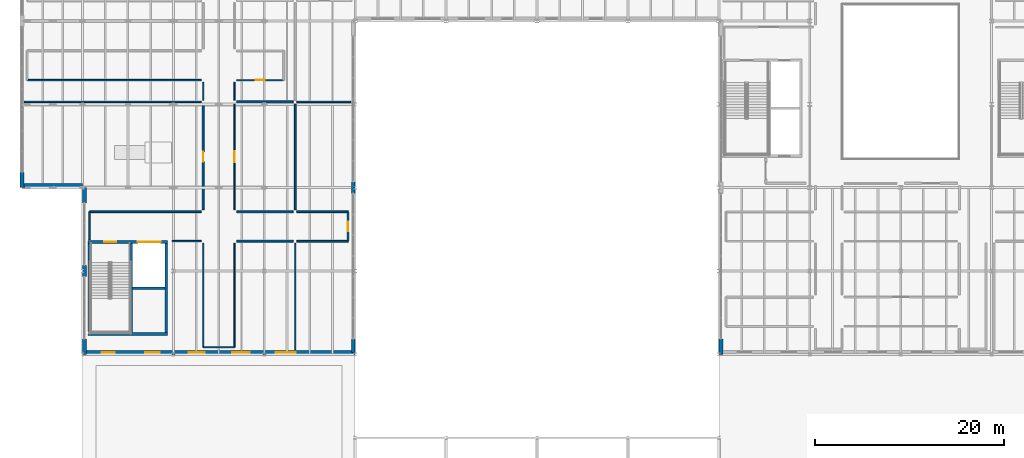
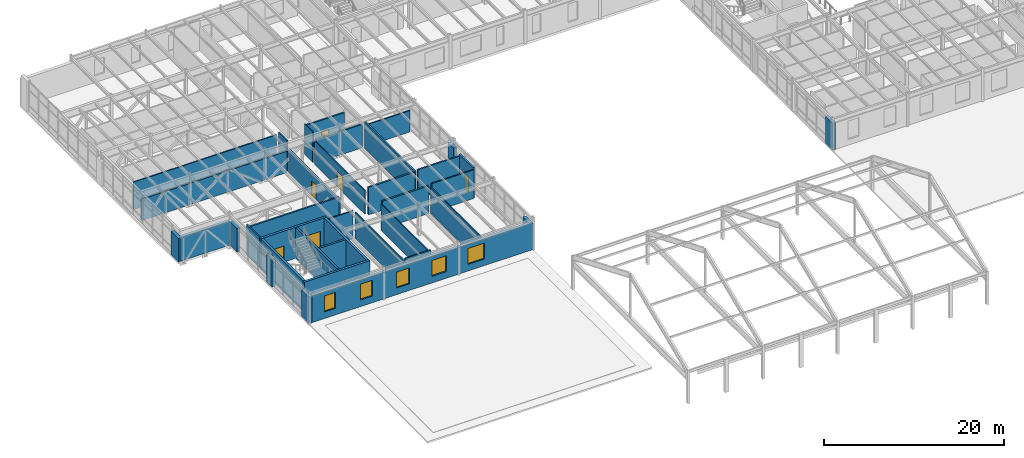
# One storey, part 69 of 88: 37 walls, 6 doors, 5 windows, 11 openings.
"""IFC4 building model written with IfcOpenShell, lengths in metres."""

from ifc_helpers import new_model, si_unit, direction, frame, frame_2d, origin, place, context, subcontext, project, spatial, rectangle, extrude, material, layer, layer_set, type_object, element, fill, save


model = new_model("IFC4")

# Units and contexts
model_context = context("Model", 3, precision=1e-05, world=origin(), true_north=direction((0.0, 1.0)))
body_context = subcontext(model_context, "Body", "Model", "MODEL_VIEW")
ifc_project = project(units=[si_unit("LENGTHUNIT", "METRE"), si_unit("AREAUNIT", "SQUARE_METRE"), si_unit("VOLUMEUNIT", "CUBIC_METRE"), si_unit("PLANEANGLEUNIT", "RADIAN"), si_unit("MASSUNIT", "GRAM", prefix="KILO")], contexts=[model_context])

# Site, building, storey
site_placement = place(None, origin())
site = spatial("IfcSite", under=ifc_project, at=site_placement, CompositionType="ELEMENT")
building_placement = place(site_placement, origin())
building = spatial("IfcBuilding", under=site, at=building_placement, Name="Sarnbrook Museum", CompositionType="ELEMENT")
storey_placement = place(building_placement, frame((0.0, 0.0, 10.10009765625)))
storey = spatial("IfcBuildingStorey", under=building, at=storey_placement, Name="L02", CompositionType="ELEMENT", Elevation=10.10009765625)

# Wall
ifc_material_1 = material(Name="Concrete N50 (AS 3600, f'c = 50 MPa)", Category="concrete")
ifc_layer_1 = layer(ifc_material_1, 0.300048828125)
ifc_layer_set_1 = layer_set([ifc_layer_1], Name="Concrete N50 (AS 3600, f'c = 50 MPa)")
wall_type_1 = type_object("IfcWallType", Name="CoreWall_CWRC", PredefinedType="SHEAR", material=ifc_layer_set_1)
wall_1_placement = place(storey_placement, frame((14.199951171875, 41.35009765625, 0.0), z_axis=(0.0, 0.0, 1.0), x_axis=(1.0, 0.0, 0.0)))
element("IfcWall", 1, at=wall_1_placement, inside=storey, type_object=wall_type_1, Name="Core C5 Shear Wall S L02", PredefinedType="SHEAR", context=body_context, shape_type="SweptSolid", body=[
    extrude(rectangle(XDim=8.400146484375, YDim=0.300048828125, at=frame_2d((4.2001953125, 0.0))), origin(), (0.0, 0.0, 1.0), 4.21484375),
])

# Wall, openings, doors
wall_2_placement = place(storey_placement, frame((22.60009765625, 51.050048828125, 0.0), z_axis=(0.0, 0.0, 1.0), x_axis=(-1.0, 0.0, 0.0)))
wall_2 = element("IfcWall", 2, at=wall_2_placement, inside=storey, type_object=wall_type_1, Name="Core C5 Shear Wall N L02", PredefinedType="SHEAR", context=body_context, shape_type="SweptSolid", body=[
    extrude(rectangle(XDim=8.400146484375, YDim=0.300048828125, at=frame_2d((4.2001953125, 0.0))), origin(), (0.0, 0.0, 1.0), 4.21484375),
])
opening_1_placement = place(wall_2_placement, frame((5.43505859375, 0.0, 0.0)))
opening_1 = element("IfcOpeningElement", 3, at=opening_1_placement, cuts=wall_2, Name="Opening D-ST-ST5-L02", PredefinedType="OPENING", context=body_context, shape_type="SweptSolid", body=[
    extrude(rectangle(XDim=1.25, YDim=2.199951171875, at=frame_2d((0.625, 1.10009765625))), frame((0.0, 0.16015625, 0.0), z_axis=(0.0, -1.0, 0.0), x_axis=(1.0, 0.0, 0.0)), (0.0, 0.0, 1.0), 0.320068359375),
])
opening_2_placement = place(wall_2_placement, frame((0.75, 0.0, 0.0)))
opening_2 = element("IfcOpeningElement", 4, at=opening_2_placement, cuts=wall_2, Name="Opening LD-GL1-L02", PredefinedType="OPENING", context=body_context, shape_type="SweptSolid", body=[
    extrude(rectangle(XDim=2.39990234375, YDim=2.550048828125, at=frame_2d((1.199951171875, 1.27490234375))), frame((0.0, 0.16015625, 0.0), z_axis=(0.0, -1.0, 0.0), x_axis=(1.0, 0.0, 0.0)), (0.0, 0.0, 1.0), 0.320068359375),
])
ifc_material_2 = material(Name="Tasmanian Oak Acoustic Timber", Category="wood")
door_type_1 = type_object("IfcDoorType", Name="FireDoor_FD120", OperationType="NOTDEFINED", PredefinedType="DOOR", material=ifc_material_2)
door_1_placement = place(opening_1_placement, origin())
door_1 = element("IfcDoor", 5, at=door_1_placement, inside=storey, type_object=door_type_1, Name="Exit Stair ST5 Fire Door L02", OperationType="SINGLE_SWING_LEFT", OverallHeight=2.199951171875, OverallWidth=1.25, PredefinedType="DOOR", context=body_context, shape_type="SweptSolid", body=[
    extrude(rectangle(XDim=1.25, YDim=2.199951171875, at=frame_2d((0.625, 1.10009765625))), frame((0.0, 0.02490234375, 0.0), z_axis=(0.0, -1.0, 0.0), x_axis=(1.0, 0.0, 0.0)), (0.0, 0.0, 1.0), 0.050048828125),
])
fill(opening_1, door_1)
ifc_material_3 = material(Name="Brushed Stainless Steel Grade 316", Category="steel")
door_type_2 = type_object("IfcDoorType", Name="LiftDoor_Goods240", OperationType="DOUBLE_DOOR_SLIDING", PredefinedType="DOOR", material=ifc_material_3)
door_2_placement = place(opening_2_placement, origin())
door_2 = element("IfcDoor", 6, at=door_2_placement, inside=storey, type_object=door_type_2, Name="Lift Landing Sliding Door LD-GL1-L02", OperationType="DOUBLE_DOOR_SLIDING", OverallHeight=2.550048828125, OverallWidth=2.39990234375, PredefinedType="DOOR", context=body_context, shape_type="SweptSolid", body=[
    extrude(rectangle(XDim=2.39990234375, YDim=2.550048828125, at=frame_2d((1.199951171875, 1.27490234375))), frame((0.0, 0.02490234375, 0.0), z_axis=(0.0, -1.0, 0.0), x_axis=(1.0, 0.0, 0.0)), (0.0, 0.0, 1.0), 0.050048828125),
])
fill(opening_2, door_2)

# Walls
for number, where, z_axis, x_axis, name in (
    (7, (22.449951171875, 41.510009765625, 0.0), (0.0, 0.0, 1.0), (0.0, 1.0, 0.0), "Core C5 Shear Wall E L02"),
    (8, (14.35009765625, 50.889892578125, 0.0), (0.0, 0.0, 1.0), (0.0, -1.0, 0.0), "Core C5 Shear Wall W L02"),
):
    element("IfcWall", number, at=place(storey_placement, frame(where, z_axis=z_axis, x_axis=x_axis)), inside=storey, type_object=wall_type_1, Name=name, PredefinedType="SHEAR", context=body_context, shape_type="SweptSolid", body=[
        extrude(rectangle(XDim=9.3798828125, YDim=0.300048828125, at=frame_2d((4.68994140625, 0.0))), origin(), (0.0, 0.0, 1.0), 4.21484375),
    ])
ifc_material_4 = material(Name="Fire-Rated Acoustic Gypsum Plasterboard")
ifc_layer_2 = layer(ifc_material_4, 0.1201171875)
ifc_layer_set_2 = layer_set([ifc_layer_2], Name="Fire-Rated Acoustic Gypsum Plasterboard")
wall_type_2 = type_object("IfcWallType", Name="PartWall_P120", PredefinedType="PARTITIONING", material=ifc_layer_set_2)
wall_3_placement = place(storey_placement, frame((29.64990234375, 39.9599609375, 0.0), z_axis=(0.0, 0.0, 1.0), x_axis=(0.0, 1.0, 0.0)))
element("IfcWall", 9, at=wall_3_placement, inside=storey, type_object=wall_type_2, Name="Interior Partition Wall L02-0538", PredefinedType="PARTITIONING", context=body_context, shape_type="SweptSolid", body=[
    extrude(rectangle(XDim=10.9599609375, YDim=0.1201171875, at=frame_2d((5.47998046875, 0.0))), origin(), (0.0, 0.0, 1.0), 3.5830078125),
])

# Wall, opening, door
wall_4_placement = place(storey_placement, frame((29.64990234375, 54.47998046875, 0.0), z_axis=(0.0, 0.0, 1.0), x_axis=(0.0, 1.0, 0.0)))
wall_4 = element("IfcWall", 10, at=wall_4_placement, inside=storey, type_object=wall_type_2, Name="Interior Partition Wall L02-0552", PredefinedType="PARTITIONING", context=body_context, shape_type="SweptSolid", body=[
    extrude(rectangle(XDim=11.14990234375, YDim=0.1201171875, at=frame_2d((5.574951171875, 0.0))), origin(), (0.0, 0.0, 1.0), 3.18994140625),
])
opening_3_placement = place(wall_4_placement, frame((4.985107421875, 0.0, 0.0)))
opening_3 = element("IfcOpeningElement", 11, at=opening_3_placement, cuts=wall_4, Name="Opening D-L02-158", PredefinedType="OPENING", context=body_context, shape_type="SweptSolid", body=[
    extrude(rectangle(XDim=1.179931640625, YDim=2.080078125, at=frame_2d((0.58984375, 1.0400390625))), frame((0.0, 0.070068359375, 0.0), z_axis=(0.0, -1.0, 0.0), x_axis=(1.0, 0.0, 0.0)), (0.0, 0.0, 1.0), 0.14013671875),
])
door_type_3 = type_object("IfcDoorType", Name="IntDoor_DT06", OperationType="NOTDEFINED", PredefinedType="DOOR", material=ifc_material_2)
door_3_placement = place(opening_3_placement, frame((1.179931640625, 0.0, 0.0), z_axis=(0.0, 0.0, 1.0), x_axis=(-1.0, 0.0, 0.0)))
door_3 = element("IfcDoor", 12, at=door_3_placement, inside=storey, type_object=door_type_3, Name="Avian & Rainforest Ecology Gallery L02-20 Door D-L02-158", OperationType="SINGLE_SWING_LEFT", OverallHeight=2.080078125, OverallWidth=1.179931640625, PredefinedType="DOOR", context=body_context, shape_type="SweptSolid", body=[
    extrude(rectangle(XDim=1.179931640625, YDim=2.080078125, at=frame_2d((0.58984375, 1.0400390625))), frame((0.0, 0.02490234375, 0.0), z_axis=(0.0, -1.0, 0.0), x_axis=(1.0, 0.0, 0.0)), (0.0, 0.0, 1.0), 0.050048828125),
])
fill(opening_3, door_3)

# Walls
wall_5_placement = place(storey_placement, frame((29.64990234375, 66.050048828125, 0.0), z_axis=(0.0, 0.0, 1.0), x_axis=(0.0, 1.0, 0.0)))
element("IfcWall", 13, at=wall_5_placement, inside=storey, type_object=wall_type_2, Name="Interior Partition Wall L02-0559", PredefinedType="PARTITIONING", context=body_context, shape_type="SweptSolid", body=[
    extrude(rectangle(XDim=1.869873046875, YDim=0.1201171875, at=frame_2d((0.93505859375, 0.0))), origin(), (0.0, 0.0, 1.0), 4.1298828125),
])
ifc_layer_3 = layer(ifc_material_4, 0.135009765625)
ifc_layer_set_3 = layer_set([ifc_layer_3], Name="Fire-Rated Acoustic Gypsum Plasterboard")
wall_type_3 = type_object("IfcWallType", Name="PartWall_P135", PredefinedType="PARTITIONING", material=ifc_layer_set_3)
wall_6_placement = place(storey_placement, frame((26.360107421875, 39.949951171875, 0.0), z_axis=(0.0, 0.0, 1.0), x_axis=(1.0, 0.0, 0.0)))
element("IfcWall", 14, at=wall_6_placement, inside=storey, type_object=wall_type_3, Name="Interior Partition Wall L02-0537", PredefinedType="PARTITIONING", context=body_context, shape_type="SweptSolid", body=[
    extrude(rectangle(XDim=3.27978515625, YDim=0.135009765625, at=frame_2d((1.639892578125, 0.0))), origin(), (0.0, 0.0, 1.0), 3.98291015625),
])
wall_7_placement = place(storey_placement, frame((26.35009765625, 67.919921875, 0.0), z_axis=(0.0, 0.0, 1.0), x_axis=(0.0, -1.0, 0.0)))
element("IfcWall", 15, at=wall_7_placement, inside=storey, type_object=wall_type_3, Name="Interior Partition Wall L02-0551", PredefinedType="PARTITIONING", context=body_context, shape_type="SweptSolid", body=[
    extrude(rectangle(XDim=1.869873046875, YDim=0.135009765625, at=frame_2d((0.93505859375, 0.0))), origin(), (0.0, 0.0, 1.0), 4.1298828125),
])
wall_8_placement = place(storey_placement, frame((36.06005859375, 50.919921875, 0.0), z_axis=(0.0, 0.0, 1.0), x_axis=(0.0, -1.0, 0.0)))
element("IfcWall", 16, at=wall_8_placement, inside=storey, type_object=wall_type_3, Name="Interior Partition Wall L02-0579", PredefinedType="PARTITIONING", context=body_context, shape_type="SweptSolid", body=[
    extrude(rectangle(XDim=11.219970703125, YDim=0.135009765625, at=frame_2d((5.60986328125, 0.0))), origin(), (0.0, 0.0, 1.0), 3.5830078125),
])
ifc_layer_4 = layer(ifc_material_4, 0.14990234375)
ifc_layer_set_4 = layer_set([ifc_layer_4], Name="Fire-Rated Acoustic Gypsum Plasterboard")
wall_type_4 = type_object("IfcWallType", Name="PartWall_P150", PredefinedType="PARTITIONING", material=ifc_layer_set_4)
wall_9_placement = place(storey_placement, frame((26.35009765625, 50.919921875, 0.0), z_axis=(0.0, 0.0, 1.0), x_axis=(0.0, -1.0, 0.0)))
element("IfcWall", 17, at=wall_9_placement, inside=storey, type_object=wall_type_4, Name="Interior Partition Wall L02-0536", PredefinedType="PARTITIONING", context=body_context, shape_type="SweptSolid", body=[
    extrude(rectangle(XDim=10.9599609375, YDim=0.14990234375, at=frame_2d((5.47998046875, 0.0))), origin(), (0.0, 0.0, 1.0), 3.5830078125),
])
wall_10_placement = place(storey_placement, frame((7.760009765625, 68.14990234375, 0.0), z_axis=(0.0, 0.0, 1.0), x_axis=(1.0, 0.0, 0.0)))
element("IfcWall", 18, at=wall_10_placement, inside=storey, type_object=wall_type_4, Name="Interior Partition Wall L02-0550", PredefinedType="PARTITIONING", context=body_context, shape_type="SweptSolid", body=[
    extrude(rectangle(XDim=18.360107421875, YDim=0.14990234375, at=frame_2d((9.18017578125, 0.0))), origin(), (0.0, 0.0, 1.0), 3.73291015625),
])
wall_11_placement = place(storey_placement, frame((7.449951171875, 65.860107421875, 0.0), z_axis=(0.0, 0.0, 1.0), x_axis=(1.0, 0.0, 0.0)))
element("IfcWall", 19, at=wall_11_placement, inside=storey, type_object=wall_type_4, Name="Interior Partition Wall L02-0578", PredefinedType="PARTITIONING", context=body_context, shape_type="SweptSolid", body=[
    extrude(rectangle(XDim=18.670166015625, YDim=0.14990234375, at=frame_2d((9.3349609375, 0.0))), origin(), (0.0, 0.0, 1.0), 2.89990234375),
])
ifc_layer_5 = layer(ifc_material_4, 0.1650390625)
ifc_layer_set_5 = layer_set([ifc_layer_5], Name="Fire-Rated Acoustic Gypsum Plasterboard")
wall_type_5 = type_object("IfcWallType", Name="PartWall_P165", PredefinedType="PARTITIONING", material=ifc_layer_set_5)
wall_12_placement = place(storey_placement, frame((23.080078125, 51.14990234375, 0.0), z_axis=(0.0, 0.0, 1.0), x_axis=(1.0, 0.0, 0.0)))
element("IfcWall", 20, at=wall_12_placement, inside=storey, type_object=wall_type_5, Name="Interior Partition Wall L02-0535", PredefinedType="PARTITIONING", context=body_context, shape_type="SweptSolid", body=[
    extrude(rectangle(XDim=3.0400390625, YDim=0.1650390625, at=frame_2d((1.52001953125, 0.0))), origin(), (0.0, 0.0, 1.0), 3.73291015625),
])
wall_13_placement = place(storey_placement, frame((36.25, 65.860107421875, 0.0), z_axis=(0.0, 0.0, 1.0), x_axis=(1.0, 0.0, 0.0)))
element("IfcWall", 21, at=wall_13_placement, inside=storey, type_object=wall_type_5, Name="Interior Partition Wall L02-0584", PredefinedType="PARTITIONING", context=body_context, shape_type="SweptSolid", body=[
    extrude(rectangle(XDim=5.669921875, YDim=0.1650390625, at=frame_2d((2.8349609375, 0.0))), origin(), (0.0, 0.0, 1.0), 2.89990234375),
])
ifc_layer_6 = layer(ifc_material_4, 0.179931640625)
ifc_layer_set_6 = layer_set([ifc_layer_6], Name="Fire-Rated Acoustic Gypsum Plasterboard")
wall_type_6 = type_object("IfcWallType", Name="PartWall_P180", PredefinedType="PARTITIONING", material=ifc_layer_set_6)
wall_14_placement = place(storey_placement, frame((14.35009765625, 54.239990234375, 0.0), z_axis=(0.0, 0.0, 1.0), x_axis=(0.0, -1.0, 0.0)))
element("IfcWall", 22, at=wall_14_placement, inside=storey, type_object=wall_type_6, Name="Interior Partition Wall L02-0534", PredefinedType="PARTITIONING", context=body_context, shape_type="SweptSolid", body=[
    extrude(rectangle(XDim=2.919921875, YDim=0.179931640625, at=frame_2d((1.4599609375, 0.0))), origin(), (0.0, 0.0, 1.0), 4.1298828125),
])
wall_15_placement = place(storey_placement, frame((36.25, 51.14990234375, 0.0), z_axis=(0.0, 0.0, 1.0), x_axis=(1.0, 0.0, 0.0)))
element("IfcWall", 23, at=wall_15_placement, inside=storey, type_object=wall_type_6, Name="Interior Partition Wall L02-0562", PredefinedType="PARTITIONING", context=body_context, shape_type="SweptSolid", body=[
    extrude(rectangle(XDim=5.389892578125, YDim=0.179931640625, at=frame_2d((2.69482421875, 0.0))), origin(), (0.0, 0.0, 1.0), 3.8828125),
])
ifc_layer_7 = layer(ifc_material_4, 0.195068359375)
ifc_layer_set_7 = layer_set([ifc_layer_7], Name="Fire-Rated Acoustic Gypsum Plasterboard")
wall_type_7 = type_object("IfcWallType", Name="PartWall_P195", PredefinedType="PARTITIONING", material=ifc_layer_set_7)
wall_16_placement = place(storey_placement, frame((26.1201171875, 54.25, 0.0), z_axis=(0.0, 0.0, 1.0), x_axis=(-1.0, 0.0, 0.0)))
element("IfcWall", 24, at=wall_16_placement, inside=storey, type_object=wall_type_7, Name="Interior Partition Wall L02-0533", PredefinedType="PARTITIONING", context=body_context, shape_type="SweptSolid", body=[
    extrude(rectangle(XDim=11.760009765625, YDim=0.195068359375, at=frame_2d((5.8798828125, 0.0))), origin(), (0.0, 0.0, 1.0), 3.73291015625),
])

# Wall, opening, door
wall_17_placement = place(storey_placement, frame((29.8798828125, 68.14990234375, 0.0), z_axis=(0.0, 0.0, 1.0), x_axis=(1.0, 0.0, 0.0)))
wall_17 = element("IfcWall", 25, at=wall_17_placement, inside=storey, type_object=wall_type_7, Name="Interior Partition Wall L02-0554", PredefinedType="PARTITIONING", context=body_context, shape_type="SweptSolid", body=[
    extrude(rectangle(XDim=4.960205078125, YDim=0.195068359375, at=frame_2d((2.47998046875, 0.0))), origin(), (0.0, 0.0, 1.0), 3.73291015625),
])
opening_4_placement = place(wall_17_placement, frame((2.02001953125, 0.0, 0.0)))
opening_4 = element("IfcOpeningElement", 26, at=opening_4_placement, cuts=wall_17, Name="Opening D-L02-159", PredefinedType="OPENING", context=body_context, shape_type="SweptSolid", body=[
    extrude(rectangle(XDim=0.919921875, YDim=2.159912109375, at=frame_2d((0.4599609375, 1.080078125))), frame((0.0, 0.107421875, 0.0), z_axis=(0.0, -1.0, 0.0), x_axis=(1.0, 0.0, 0.0)), (0.0, 0.0, 1.0), 0.215087890625),
])
door_type_4 = type_object("IfcDoorType", Name="IntDoor_DT07", OperationType="NOTDEFINED", PredefinedType="DOOR", material=ifc_material_2)
door_4_placement = place(opening_4_placement, origin())
door_4 = element("IfcDoor", 27, at=door_4_placement, inside=storey, type_object=door_type_4, Name="Entomology & Arachnid Pavilion L02-21 Door D-L02-159", OperationType="SINGLE_SWING_RIGHT", OverallHeight=2.159912109375, OverallWidth=0.919921875, PredefinedType="DOOR", context=body_context, shape_type="SweptSolid", body=[
    extrude(rectangle(XDim=0.919921875, YDim=2.159912109375, at=frame_2d((0.4599609375, 1.080078125))), frame((0.0, 0.02490234375, 0.0), z_axis=(0.0, -1.0, 0.0), x_axis=(1.0, 0.0, 0.0)), (0.0, 0.0, 1.0), 0.050048828125),
])
fill(opening_4, door_4)

# Walls
wall_18_placement = place(storey_placement, frame((41.639892578125, 54.25, 0.0), z_axis=(0.0, 0.0, 1.0), x_axis=(-1.0, 0.0, 0.0)))
element("IfcWall", 28, at=wall_18_placement, inside=storey, type_object=wall_type_7, Name="Interior Partition Wall L02-0561", PredefinedType="PARTITIONING", context=body_context, shape_type="SweptSolid", body=[
    extrude(rectangle(XDim=5.389892578125, YDim=0.195068359375, at=frame_2d((2.69482421875, 0.0))), origin(), (0.0, 0.0, 1.0), 3.8828125),
])
wall_19_placement = place(storey_placement, frame((36.06005859375, 65.6298828125, 0.0), z_axis=(0.0, 0.0, 1.0), x_axis=(0.0, -1.0, 0.0)))
element("IfcWall", 29, at=wall_19_placement, inside=storey, type_object=wall_type_7, Name="Interior Partition Wall L02-0582", PredefinedType="PARTITIONING", context=body_context, shape_type="SweptSolid", body=[
    extrude(rectangle(XDim=11.14990234375, YDim=0.195068359375, at=frame_2d((5.574951171875, 0.0))), origin(), (0.0, 0.0, 1.0), 3.5830078125),
])

# Wall, opening, door
ifc_layer_8 = layer(ifc_material_4, 0.2099609375)
ifc_layer_set_8 = layer_set([ifc_layer_8], Name="Fire-Rated Acoustic Gypsum Plasterboard")
wall_type_8 = type_object("IfcWallType", Name="PartWall_P210", PredefinedType="PARTITIONING", material=ifc_layer_set_8)
wall_20_placement = place(storey_placement, frame((26.35009765625, 65.6298828125, 0.0), z_axis=(0.0, 0.0, 1.0), x_axis=(0.0, -1.0, 0.0)))
wall_20 = element("IfcWall", 30, at=wall_20_placement, inside=storey, type_object=wall_type_8, Name="Interior Partition Wall L02-0532", PredefinedType="PARTITIONING", context=body_context, shape_type="SweptSolid", body=[
    extrude(rectangle(XDim=11.14990234375, YDim=0.2099609375, at=frame_2d((5.574951171875, 0.0))), origin(), (0.0, 0.0, 1.0), 3.18994140625),
])
opening_5_placement = place(wall_20_placement, frame((5.054931640625, 0.0, 0.0)))
opening_5 = element("IfcOpeningElement", 31, at=opening_5_placement, cuts=wall_20, Name="Opening D-L02-156", PredefinedType="OPENING", context=body_context, shape_type="SweptSolid", body=[
    extrude(rectangle(XDim=1.0400390625, YDim=2.080078125, at=frame_2d((0.52001953125, 1.0400390625))), frame((0.0, 0.114990234375, 0.0), z_axis=(0.0, -1.0, 0.0), x_axis=(1.0, 0.0, 0.0)), (0.0, 0.0, 1.0), 0.22998046875),
])
door_type_5 = type_object("IfcDoorType", Name="IntDoor_DT04", OperationType="NOTDEFINED", PredefinedType="DOOR", material=ifc_material_2)
door_5_placement = place(opening_5_placement, origin())
door_5 = element("IfcDoor", 32, at=door_5_placement, inside=storey, type_object=door_type_5, Name="Travelling Exhibition Hall L02-18 Door D-L02-156", OperationType="SINGLE_SWING_LEFT", OverallHeight=2.080078125, OverallWidth=1.0400390625, PredefinedType="DOOR", context=body_context, shape_type="SweptSolid", body=[
    extrude(rectangle(XDim=1.0400390625, YDim=2.080078125, at=frame_2d((0.52001953125, 1.0400390625))), frame((0.0, 0.02490234375, 0.0), z_axis=(0.0, -1.0, 0.0), x_axis=(1.0, 0.0, 0.0)), (0.0, 0.0, 1.0), 0.050048828125),
])
fill(opening_5, door_5)

# Walls
for number, where, z_axis, x_axis, name in (
    (33, (29.8798828125, 51.14990234375, 0.0), (0.0, 0.0, 1.0), (1.0, 0.0, 0.0), "Interior Partition Wall L02-0539"),
    (34, (35.830078125, 54.25, 0.0), (0.0, 0.0, 1.0), (-1.0, 0.0, 0.0), "Interior Partition Wall L02-0553"),
):
    element("IfcWall", number, at=place(storey_placement, frame(where, z_axis=z_axis, x_axis=x_axis)), inside=storey, type_object=wall_type_8, Name=name, PredefinedType="PARTITIONING", context=body_context, shape_type="SweptSolid", body=[
        extrude(rectangle(XDim=5.9501953125, YDim=0.2099609375, at=frame_2d((2.97509765625, 0.0))), origin(), (0.0, 0.0, 1.0), 3.73291015625),
    ])

# Wall, opening, door
wall_21_placement = place(storey_placement, frame((41.64990234375, 51.159912109375, 0.0), z_axis=(0.0, 0.0, 1.0), x_axis=(0.0, 1.0, 0.0)))
wall_21 = element("IfcWall", 35, at=wall_21_placement, inside=storey, type_object=wall_type_8, Name="Interior Partition Wall L02-0560", PredefinedType="PARTITIONING", context=body_context, shape_type="SweptSolid", body=[
    extrude(rectangle(XDim=3.080078125, YDim=0.2099609375, at=frame_2d((1.5400390625, 0.0))), origin(), (0.0, 0.0, 1.0), 4.1298828125),
])
opening_6_placement = place(wall_21_placement, frame((1.054931640625, 0.0, 0.0)))
opening_6 = element("IfcOpeningElement", 36, at=opening_6_placement, cuts=wall_21, Name="Opening D-L02-160", PredefinedType="OPENING", context=body_context, shape_type="SweptSolid", body=[
    extrude(rectangle(XDim=0.969970703125, YDim=2.159912109375, at=frame_2d((0.48486328125, 1.080078125))), frame((0.0, 0.114990234375, 0.0), z_axis=(0.0, -1.0, 0.0), x_axis=(1.0, 0.0, 0.0)), (0.0, 0.0, 1.0), 0.22998046875),
])
door_type_6 = type_object("IfcDoorType", Name="IntDoor_DT08", OperationType="NOTDEFINED", PredefinedType="DOOR", material=ifc_material_2)
door_6_placement = place(opening_6_placement, frame((0.969970703125, 0.0, 0.0), z_axis=(0.0, 0.0, 1.0), x_axis=(-1.0, 0.0, 0.0)))
door_6 = element("IfcDoor", 37, at=door_6_placement, inside=storey, type_object=door_type_6, Name="Microscopy & Imaging Laboratory L02-22 Door D-L02-160", OperationType="SINGLE_SWING_LEFT", OverallHeight=2.159912109375, OverallWidth=0.969970703125, PredefinedType="DOOR", context=body_context, shape_type="SweptSolid", body=[
    extrude(rectangle(XDim=0.969970703125, YDim=2.159912109375, at=frame_2d((0.48486328125, 1.080078125))), frame((0.0, 0.02490234375, 0.0), z_axis=(0.0, -1.0, 0.0), x_axis=(1.0, 0.0, 0.0)), (0.0, 0.0, 1.0), 0.050048828125),
])
fill(opening_6, door_6)

# Walls
wall_22_placement = place(storey_placement, frame((29.8798828125, 65.860107421875, 0.0), z_axis=(0.0, 0.0, 1.0), x_axis=(1.0, 0.0, 0.0)))
element("IfcWall", 38, at=wall_22_placement, inside=storey, type_object=wall_type_8, Name="Interior Partition Wall L02-0581", PredefinedType="PARTITIONING", context=body_context, shape_type="SweptSolid", body=[
    extrude(rectangle(XDim=5.9501953125, YDim=0.2099609375, at=frame_2d((2.97509765625, 0.0))), origin(), (0.0, 0.0, 1.0), 3.18994140625),
])
ifc_material_5 = material(Name="Concrete N40 (AS 3600, f'c = 40 MPa)", Category="concrete")
ifc_layer_9 = layer(ifc_material_5, 0.239990234375)
ifc_layer_set_9 = layer_set([ifc_layer_9], Name="Concrete N40 (AS 3600, f'c = 40 MPa)")
wall_type_9 = type_object("IfcWallType", Name="ShaftWall_SWRC", PredefinedType="SOLIDWALL", material=ifc_layer_set_9)
wall_23_placement = place(storey_placement, frame((18.77001953125, 41.510009765625, 0.0), z_axis=(0.0, 0.0, 1.0), x_axis=(0.0, 1.0, 0.0)))
element("IfcWall", 39, at=wall_23_placement, inside=storey, type_object=wall_type_9, Name="Stairwell ST5 Fire Shaft Wall L02", PredefinedType="SOLIDWALL", context=body_context, shape_type="SweptSolid", body=[
    extrude(rectangle(XDim=9.3798828125, YDim=0.239990234375, at=frame_2d((4.68994140625, 0.0))), origin(), (0.0, 0.0, 1.0), 4.21484375),
])
wall_24_placement = place(storey_placement, frame((18.89990234375, 46.179931640625, 0.0), z_axis=(0.0, 0.0, 1.0), x_axis=(1.0, 0.0, 0.0)))
element("IfcWall", 40, at=wall_24_placement, inside=storey, type_object=wall_type_9, Name="Lift GL1 Shaft Rear Wall L02", PredefinedType="SOLIDWALL", context=body_context, shape_type="SweptSolid", body=[
    extrude(rectangle(XDim=3.39013671875, YDim=0.239990234375, at=frame_2d((1.695068359375, 0.0))), origin(), (0.0, 0.0, 1.0), 4.21484375),
])
ifc_material_6 = material(Name="Barrabool Sandstone Ashlar Cladding", Category="masonry")
ifc_layer_10 = layer(ifc_material_6, 0.419921875)
ifc_layer_set_10 = layer_set([ifc_layer_10], Name="Barrabool Sandstone Ashlar Cladding")
wall_type_10 = type_object("IfcWallType", Name="Wall_SandstoneExt420", PredefinedType="SOLIDWALL", material=ifc_layer_set_10)
wall_25_placement = place(storey_placement, frame((7.2099609375, 58.39990234375, 0.0), z_axis=(0.0, 0.0, 1.0), x_axis=(0.0, -1.0, 0.0)))
element("IfcWall", 41, at=wall_25_placement, inside=storey, type_object=wall_type_10, Name="Classical Sandstone Facade Pier L02-8.3", PredefinedType="SOLIDWALL", context=body_context, shape_type="SweptSolid", body=[
    extrude(rectangle(XDim=1.599853515625, YDim=0.419921875, at=frame_2d((0.7998046875, 0.0))), origin(), (0.0, 0.0, 1.0), 3.204833984375),
])
wall_26_placement = place(storey_placement, frame((7.216064453125, 57.010009765625, 0.0), z_axis=(0.0, 0.0, 1.0), x_axis=(1.0, 0.0, 0.0)))
element("IfcWall", 42, at=wall_26_placement, inside=storey, type_object=wall_type_10, Name="Classical Sandstone Facade Wall L02-09", PredefinedType="SOLIDWALL", context=body_context, shape_type="SweptSolid", body=[
    extrude(rectangle(XDim=6.384033203125, YDim=0.419921875, at=frame_2d((3.19189453125, 0.0))), origin(), (0.0, 0.0, 1.0), 3.204833984375),
])
wall_27_placement = place(storey_placement, frame((13.81005859375, 56.800048828125, 0.0), z_axis=(0.0, 0.0, 1.0), x_axis=(0.0, -1.0, 0.0)))
element("IfcWall", 43, at=wall_27_placement, inside=storey, type_object=wall_type_10, Name="Classical Sandstone Facade Pier L02-10.1", PredefinedType="SOLIDWALL", context=body_context, shape_type="SweptSolid", body=[
    extrude(rectangle(XDim=1.60009765625, YDim=0.419921875, at=frame_2d((0.800048828125, 0.0))), origin(), (0.0, 0.0, 1.0), 3.204833984375),
])
wall_28_placement = place(storey_placement, frame((13.81005859375, 48.60009765625, 0.0), z_axis=(0.0, 0.0, 1.0), x_axis=(0.0, -1.0, 0.0)))
element("IfcWall", 44, at=wall_28_placement, inside=storey, type_object=wall_type_10, Name="Classical Sandstone Facade Pier L02-10.2", PredefinedType="SOLIDWALL", context=body_context, shape_type="SweptSolid", body=[
    extrude(rectangle(XDim=1.2001953125, YDim=0.419921875, at=frame_2d((0.60009765625, 0.0))), origin(), (0.0, 0.0, 1.0), 3.747802734375),
])
wall_29_placement = place(storey_placement, frame((13.81005859375, 40.800048828125, 0.0), z_axis=(0.0, 0.0, 1.0), x_axis=(0.0, -1.0, 0.0)))
element("IfcWall", 45, at=wall_29_placement, inside=storey, type_object=wall_type_10, Name="Classical Sandstone Facade Pier L02-10.3", PredefinedType="SOLIDWALL", context=body_context, shape_type="SweptSolid", body=[
    extrude(rectangle(XDim=1.60009765625, YDim=0.419921875, at=frame_2d((0.800048828125, 0.0))), origin(), (0.0, 0.0, 1.0), 3.597900390625),
])

# Wall, openings, windows
wall_30_placement = place(storey_placement, frame((13.81591796875, 39.409912109375, 0.0), z_axis=(0.0, 0.0, 1.0), x_axis=(1.0, 0.0, 0.0)))
wall_30 = element("IfcWall", 46, at=wall_30_placement, inside=storey, type_object=wall_type_10, Name="Classical Sandstone Facade Wall L02-11", PredefinedType="SOLIDWALL", context=body_context, shape_type="SweptSolid", body=[
    extrude(rectangle(XDim=28.583984375, YDim=0.419921875, at=frame_2d((14.2919921875, 0.0))), origin(), (0.0, 0.0, 1.0), 3.597900390625),
])
opening_7_placement = place(wall_30_placement, frame((1.800048828125, 0.0, 0.89990234375)))
opening_7 = element("IfcOpeningElement", 47, at=opening_7_placement, cuts=wall_30, Name="Opening WT-26", PredefinedType="OPENING", context=body_context, shape_type="SweptSolid", body=[
    extrude(rectangle(XDim=1.39990234375, YDim=2.14990234375, at=frame_2d((0.699951171875, 1.074951171875))), frame((0.0, 0.219970703125, 0.0), z_axis=(0.0, -1.0, 0.0), x_axis=(1.0, 0.0, 0.0)), (0.0, 0.0, 1.0), 0.43994140625),
])
opening_8_placement = place(wall_30_placement, frame((6.39990234375, 0.0, 0.89990234375)))
opening_8 = element("IfcOpeningElement", 48, at=opening_8_placement, cuts=wall_30, Name="Opening WT-27", PredefinedType="OPENING", context=body_context, shape_type="SweptSolid", body=[
    extrude(rectangle(XDim=1.550048828125, YDim=2.14990234375, at=frame_2d((0.77490234375, 1.074951171875))), frame((0.0, 0.219970703125, 0.0), z_axis=(0.0, -1.0, 0.0), x_axis=(1.0, 0.0, 0.0)), (0.0, 0.0, 1.0), 0.43994140625),
])
opening_9_placement = place(wall_30_placement, frame((11.0, 0.0, 0.89990234375)))
opening_9 = element("IfcOpeningElement", 49, at=opening_9_placement, cuts=wall_30, Name="Opening WT-28", PredefinedType="OPENING", context=body_context, shape_type="SweptSolid", body=[
    extrude(rectangle(XDim=1.699951171875, YDim=2.14990234375, at=frame_2d((0.85009765625, 1.074951171875))), frame((0.0, 0.219970703125, 0.0), z_axis=(0.0, -1.0, 0.0), x_axis=(1.0, 0.0, 0.0)), (0.0, 0.0, 1.0), 0.43994140625),
])
opening_10_placement = place(wall_30_placement, frame((15.60009765625, 0.0, 0.89990234375)))
opening_10 = element("IfcOpeningElement", 50, at=opening_10_placement, cuts=wall_30, Name="Opening WT-29", PredefinedType="OPENING", context=body_context, shape_type="SweptSolid", body=[
    extrude(rectangle(XDim=1.85009765625, YDim=2.14990234375, at=frame_2d((0.925048828125, 1.074951171875))), frame((0.0, 0.219970703125, 0.0), z_axis=(0.0, -1.0, 0.0), x_axis=(1.0, 0.0, 0.0)), (0.0, 0.0, 1.0), 0.43994140625),
])
opening_11_placement = place(wall_30_placement, frame((20.199951171875, 0.0, 0.89990234375)))
opening_11 = element("IfcOpeningElement", 51, at=opening_11_placement, cuts=wall_30, Name="Opening WT-30", PredefinedType="OPENING", context=body_context, shape_type="SweptSolid", body=[
    extrude(rectangle(XDim=2.1201171875, YDim=2.14990234375, at=frame_2d((1.06005859375, 1.074951171875))), frame((0.0, 0.219970703125, 0.0), z_axis=(0.0, -1.0, 0.0), x_axis=(1.0, 0.0, 0.0)), (0.0, 0.0, 1.0), 0.43994140625),
])
ifc_material_7 = material(Name="Double-Glazed Low-Iron Laminated Safety Glass", Category="glass")
window_type_1 = type_object("IfcWindowType", Name="Window_Classical_WT26", PartitioningType="SINGLE_PANEL", PredefinedType="WINDOW", material=ifc_material_7)
window_1_placement = place(opening_7_placement, origin())
window_1 = element("IfcWindow", 52, at=window_1_placement, inside=storey, type_object=window_type_1, Name="Classical Bronze Casement Window WIN:L02:0070", OverallHeight=2.14990234375, OverallWidth=1.39990234375, PartitioningType="SINGLE_PANEL", PredefinedType="WINDOW", context=body_context, shape_type="SweptSolid", body=[
    extrude(rectangle(XDim=1.39990234375, YDim=2.14990234375, at=frame_2d((0.699951171875, 1.074951171875))), frame((0.0, 0.030029296875, 0.0), z_axis=(0.0, -1.0, 0.0), x_axis=(1.0, 0.0, 0.0)), (0.0, 0.0, 1.0), 0.06005859375),
])
fill(opening_7, window_1)
window_type_2 = type_object("IfcWindowType", Name="Window_Classical_WT27", PartitioningType="SINGLE_PANEL", PredefinedType="WINDOW", material=ifc_material_7)
window_2_placement = place(opening_8_placement, origin())
window_2 = element("IfcWindow", 53, at=window_2_placement, inside=storey, type_object=window_type_2, Name="Classical Bronze Casement Window WIN:L02:0071", OverallHeight=2.14990234375, OverallWidth=1.550048828125, PartitioningType="SINGLE_PANEL", PredefinedType="WINDOW", context=body_context, shape_type="SweptSolid", body=[
    extrude(rectangle(XDim=1.550048828125, YDim=2.14990234375, at=frame_2d((0.77490234375, 1.074951171875))), frame((0.0, 0.030029296875, 0.0), z_axis=(0.0, -1.0, 0.0), x_axis=(1.0, 0.0, 0.0)), (0.0, 0.0, 1.0), 0.06005859375),
])
fill(opening_8, window_2)
window_type_3 = type_object("IfcWindowType", Name="Window_Classical_WT28", PartitioningType="SINGLE_PANEL", PredefinedType="WINDOW", material=ifc_material_7)
window_3_placement = place(opening_9_placement, origin())
window_3 = element("IfcWindow", 54, at=window_3_placement, inside=storey, type_object=window_type_3, Name="Classical Bronze Casement Window WIN:L02:0072", OverallHeight=2.14990234375, OverallWidth=1.699951171875, PartitioningType="SINGLE_PANEL", PredefinedType="WINDOW", context=body_context, shape_type="SweptSolid", body=[
    extrude(rectangle(XDim=1.699951171875, YDim=2.14990234375, at=frame_2d((0.85009765625, 1.074951171875))), frame((0.0, 0.030029296875, 0.0), z_axis=(0.0, -1.0, 0.0), x_axis=(1.0, 0.0, 0.0)), (0.0, 0.0, 1.0), 0.06005859375),
])
fill(opening_9, window_3)
window_type_4 = type_object("IfcWindowType", Name="Window_Classical_WT29", PartitioningType="SINGLE_PANEL", PredefinedType="WINDOW", material=ifc_material_7)
window_4_placement = place(opening_10_placement, origin())
window_4 = element("IfcWindow", 55, at=window_4_placement, inside=storey, type_object=window_type_4, Name="Classical Bronze Casement Window WIN:L02:0073", OverallHeight=2.14990234375, OverallWidth=1.85009765625, PartitioningType="SINGLE_PANEL", PredefinedType="WINDOW", context=body_context, shape_type="SweptSolid", body=[
    extrude(rectangle(XDim=1.85009765625, YDim=2.14990234375, at=frame_2d((0.925048828125, 1.074951171875))), frame((0.0, 0.030029296875, 0.0), z_axis=(0.0, -1.0, 0.0), x_axis=(1.0, 0.0, 0.0)), (0.0, 0.0, 1.0), 0.06005859375),
])
fill(opening_10, window_4)
window_type_5 = type_object("IfcWindowType", Name="Window_Classical_WT30", PartitioningType="SINGLE_PANEL", PredefinedType="WINDOW", material=ifc_material_7)
window_5_placement = place(opening_11_placement, origin())
window_5 = element("IfcWindow", 56, at=window_5_placement, inside=storey, type_object=window_type_5, Name="Classical Bronze Casement Window WIN:L02:0074", OverallHeight=2.14990234375, OverallWidth=2.1201171875, PartitioningType="SINGLE_PANEL", PredefinedType="WINDOW", context=body_context, shape_type="SweptSolid", body=[
    extrude(rectangle(XDim=2.1201171875, YDim=2.14990234375, at=frame_2d((1.06005859375, 1.074951171875))), frame((0.0, 0.030029296875, 0.0), z_axis=(0.0, -1.0, 0.0), x_axis=(1.0, 0.0, 0.0)), (0.0, 0.0, 1.0), 0.06005859375),
])
fill(opening_11, window_5)

# Walls
wall_31_placement = place(storey_placement, frame((42.18994140625, 39.416015625, 0.0), z_axis=(0.0, 0.0, 1.0), x_axis=(0.0, 1.0, 0.0)))
element("IfcWall", 57, at=wall_31_placement, inside=storey, type_object=wall_type_10, Name="Classical Sandstone Facade Pier L02-12.1", PredefinedType="SOLIDWALL", context=body_context, shape_type="SweptSolid", body=[
    extrude(rectangle(XDim=1.384033203125, YDim=0.419921875, at=frame_2d((0.69189453125, 0.0))), origin(), (0.0, 0.0, 1.0), 3.597900390625),
])
wall_32_placement = place(storey_placement, frame((42.18994140625, 56.199951171875, 0.0), z_axis=(0.0, 0.0, 1.0), x_axis=(0.0, 1.0, 0.0)))
element("IfcWall", 58, at=wall_32_placement, inside=storey, type_object=wall_type_10, Name="Classical Sandstone Facade Pier L02-12.2", PredefinedType="SOLIDWALL", context=body_context, shape_type="SweptSolid", body=[
    extrude(rectangle(XDim=1.199951171875, YDim=0.419921875, at=frame_2d((0.60009765625, 0.0))), origin(), (0.0, 0.0, 1.0), 3.597900390625),
])
wall_33_placement = place(storey_placement, frame((81.010009765625, 40.800048828125, 0.0), z_axis=(0.0, 0.0, 1.0), x_axis=(0.0, -1.0, 0.0)))
element("IfcWall", 59, at=wall_33_placement, inside=storey, type_object=wall_type_10, Name="Classical Sandstone Facade Pier L02-14.3", PredefinedType="SOLIDWALL", context=body_context, shape_type="SweptSolid", body=[
    extrude(rectangle(XDim=1.60009765625, YDim=0.419921875, at=frame_2d((0.800048828125, 0.0))), origin(), (0.0, 0.0, 1.0), 3.66796875),
])

save(model, "model.ifc")
